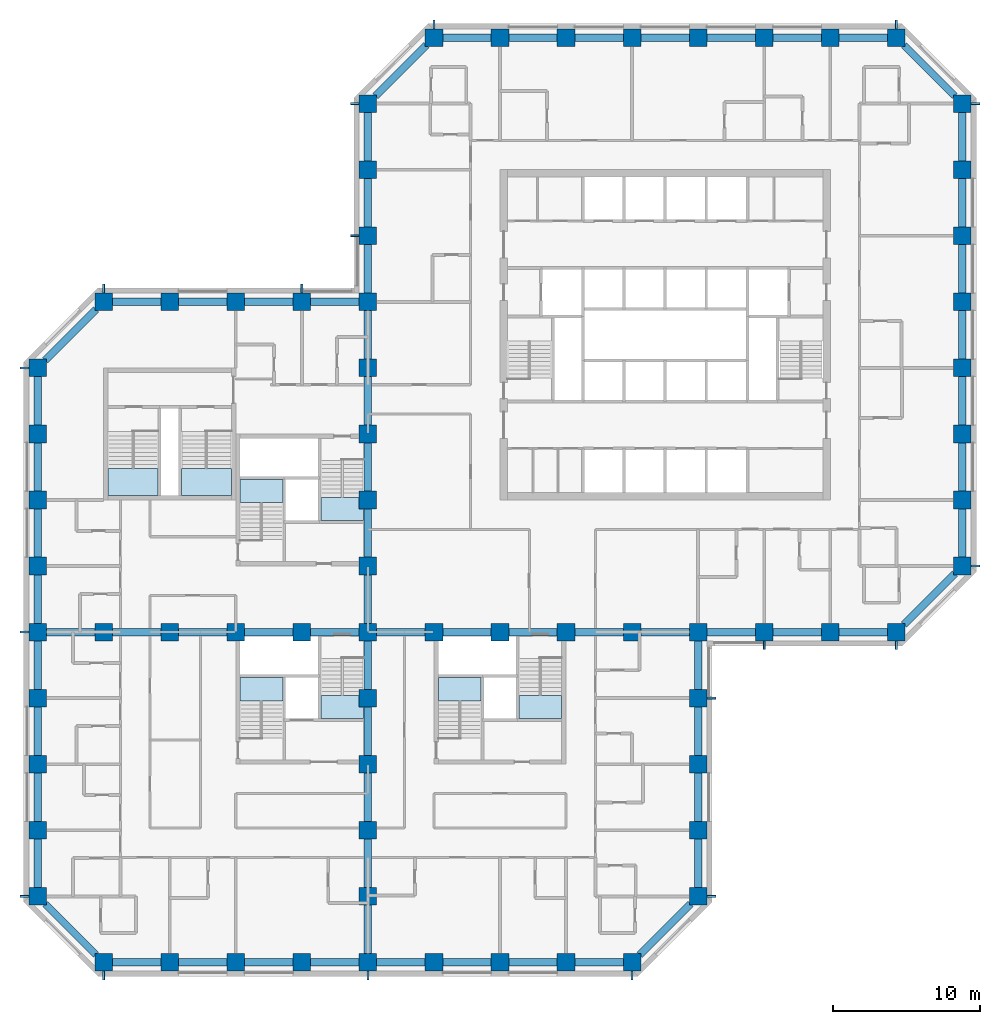
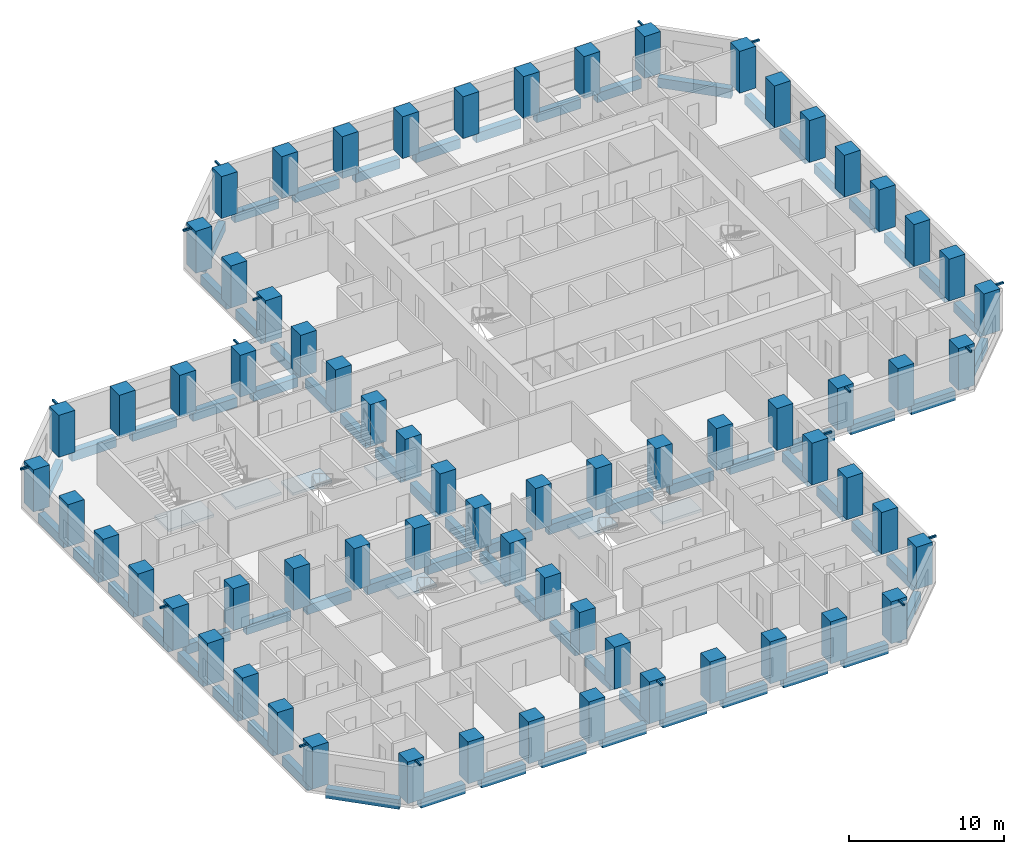
# One storey, part 1 of 13: 88 beams, 67 columns, 8 slabs, 8 elements without a shape of their own.
"""IFC4 building model written with IfcOpenShell, lengths in metres."""

from ifc_helpers import new_model, si_unit, direction, frame, origin, origin_2d, place, context, subcontext, project, spatial, polyline, rectangle, hollow_rectangle, outline, extrude, material, layer, layer_set, material_profile, profile_set, type_object, element, aggregate, save


model = new_model("IFC4")

# Units and contexts
model_context = context("Model", 3, precision=1e-05, world=origin(), true_north=direction((0.0, 1.0)))
body_context = subcontext(model_context, "Body", "Model", "MODEL_VIEW")
ifc_project = project(units=[si_unit("LENGTHUNIT", "METRE"), si_unit("AREAUNIT", "SQUARE_METRE"), si_unit("VOLUMEUNIT", "CUBIC_METRE"), si_unit("PLANEANGLEUNIT", "RADIAN"), si_unit("MASSUNIT", "GRAM", prefix="KILO")], contexts=[model_context])

# Site, building, storey
site_placement = place(None, origin())
site = spatial("IfcSite", under=ifc_project, at=site_placement, CompositionType="ELEMENT")
building_placement = place(site_placement, origin())
building = spatial("IfcBuilding", under=site, at=building_placement, Name="Quoin Convention Tower", CompositionType="ELEMENT")
storey_placement = place(building_placement, frame((0.0, 0.0, 36.300048828125)))
storey = spatial("IfcBuildingStorey", under=building, at=storey_placement, Name="L08", CompositionType="ELEMENT", Elevation=36.300048828125)

# Columns
ifc_material_1 = material(Name="Concrete C80", Category="concrete")
ifc_material_profile_1 = material_profile(ifc_material_1, rectangle(XDim=1.199951171875, YDim=1.199951171875, at=origin_2d()), Name="RC 1200x1200")
ifc_profile_set_1 = profile_set([ifc_material_profile_1], Name="Concrete C80")
column_type = type_object("IfcColumnType", Name="RC 1200x1200 C80", PredefinedType="COLUMN", material=ifc_profile_set_1)
for number, where, z_axis, x_axis, name in (
    (1, (18.0, 18.0, 0.0), (0.0, 0.0, 1.0), (1.0, 0.0, 0.0), "col-L08-18000_18000"),
    (2, (22.5, 18.0, 0.0), (0.0, 0.0, 1.0), (1.0, 0.0, 0.0), "col-L08-22500_18000"),
    (3, (27.0, 18.0, 0.0), (0.0, 0.0, 1.0), (1.0, 0.0, 0.0), "col-L08-27000_18000"),
    (4, (31.5, 18.0, 0.0), (0.0, 0.0, 1.0), (1.0, 0.0, 0.0), "col-L08-31500_18000"),
    (5, (36.0, 18.0, 0.0), (0.0, 0.0, 1.0), (1.0, 0.0, 0.0), "col-L08-36000_18000"),
    (6, (40.5, 18.0, 0.0), (0.0, 0.0, 1.0), (1.0, 0.0, 0.0), "col-L08-40500_18000"),
    (7, (45.0, 18.0, 0.0), (0.0, 0.0, 1.0), (1.0, 0.0, 0.0), "col-L08-45000_18000"),
    (8, (49.5, 18.0, 0.0), (0.0, 0.0, 1.0), (1.0, 0.0, 0.0), "col-L08-49500_18000"),
    (9, (54.0, 18.0, 0.0), (0.0, 0.0, 1.0), (1.0, 0.0, 0.0), "col-L08-54000_18000"),
    (10, (13.5, 22.5, 0.0), (0.0, 0.0, 1.0), (1.0, 0.0, 0.0), "col-L08-13500_22500"),
    (11, (36.0, 22.5, 0.0), (0.0, 0.0, 1.0), (1.0, 0.0, 0.0), "web-L08-36000_22500"),
    (12, (58.5, 22.5, 0.0), (0.0, 0.0, 1.0), (1.0, 0.0, 0.0), "col-L08-58500_22500"),
    (13, (13.5, 27.0, 0.0), (0.0, 0.0, 1.0), (1.0, 0.0, 0.0), "col-L08-13500_27000"),
    (14, (36.0, 27.0, 0.0), (0.0, 0.0, 1.0), (1.0, 0.0, 0.0), "web-L08-36000_27000"),
    (15, (58.5, 27.0, 0.0), (0.0, 0.0, 1.0), (1.0, 0.0, 0.0), "col-L08-58500_27000"),
    (16, (13.5, 31.5, 0.0), (0.0, 0.0, 1.0), (1.0, 0.0, 0.0), "col-L08-13500_31500"),
    (17, (36.0, 31.5, 0.0), (0.0, 0.0, 1.0), (1.0, 0.0, 0.0), "web-L08-36000_31500"),
    (18, (58.5, 31.5, 0.0), (0.0, 0.0, 1.0), (1.0, 0.0, 0.0), "col-L08-58500_31500"),
    (19, (13.5, 36.0, 0.0), (0.0, 0.0, 1.0), (1.0, 0.0, 0.0), "col-L08-13500_36000"),
    (20, (36.0, 36.0, 0.0), (0.0, 0.0, 1.0), (1.0, 0.0, 0.0), "web-L08-36000_36000"),
    (21, (58.5, 36.0, 0.0), (0.0, 0.0, 1.0), (1.0, 0.0, 0.0), "col-L08-58500_36000"),
    (22, (13.5, 40.5, 0.0), (0.0, 0.0, 1.0), (1.0, 0.0, 0.0), "col-L08-13500_40500"),
    (23, (18.0, 40.5, 0.0), (0.0, 0.0, 1.0), (1.0, 0.0, 0.0), "web-L08-18000_40500"),
    (24, (22.5, 40.5, 0.0), (0.0, 0.0, 1.0), (1.0, 0.0, 0.0), "web-L08-22500_40500"),
    (25, (27.0, 40.5, 0.0), (0.0, 0.0, 1.0), (1.0, 0.0, 0.0), "web-L08-27000_40500"),
    (26, (31.5, 40.5, 0.0), (0.0, 0.0, 1.0), (1.0, 0.0, 0.0), "web-L08-31500_40500"),
    (27, (36.0, 40.5, 0.0), (0.0, 0.0, 1.0), (1.0, 0.0, 0.0), "web-L08-36000_40500"),
    (28, (40.5, 40.5, 0.0), (0.0, 0.0, 1.0), (1.0, 0.0, 0.0), "web-L08-40500_40500"),
    (29, (45.0, 40.5, 0.0), (0.0, 0.0, 1.0), (1.0, 0.0, 0.0), "web-L08-45000_40500"),
    (30, (49.5, 40.5, 0.0), (0.0, 0.0, 1.0), (1.0, 0.0, 0.0), "web-L08-49500_40500"),
    (31, (54.0, 40.5, 0.0), (0.0, 0.0, 1.0), (1.0, 0.0, 0.0), "web-L08-54000_40500"),
    (32, (58.5, 40.5, 0.0), (0.0, 0.0, 1.0), (1.0, 0.0, 0.0), "col-L08-58500_40500"),
    (33, (63.0, 40.5, 0.0), (0.0, 0.0, 1.0), (1.0, 0.0, 0.0), "col-L08-63000_40500"),
    (34, (67.5, 40.5, 0.0), (0.0, 0.0, 1.0), (1.0, 0.0, 0.0), "col-L08-67500_40500"),
    (35, (72.0, 40.5, 0.0), (0.0, 0.0, 1.0), (1.0, 0.0, 0.0), "col-L08-72000_40500"),
    (36, (13.5, 45.0, 0.0), (0.0, 0.0, 1.0), (1.0, 0.0, 0.0), "col-L08-13500_45000"),
    (37, (36.0, 45.0, 0.0), (0.0, 0.0, 1.0), (1.0, 0.0, 0.0), "web-L08-36000_45000"),
    (38, (76.5, 45.0, 0.0), (0.0, 0.0, 1.0), (1.0, 0.0, 0.0), "col-L08-76500_45000"),
    (39, (13.5, 49.5, 0.0), (0.0, 0.0, 1.0), (1.0, 0.0, 0.0), "col-L08-13500_49500"),
    (40, (36.0, 49.5, 0.0), (0.0, 0.0, 1.0), (1.0, 0.0, 0.0), "web-L08-36000_49500"),
    (41, (76.5, 49.5, 0.0), (0.0, 0.0, 1.0), (1.0, 0.0, 0.0), "col-L08-76500_49500"),
    (42, (13.5, 54.0, 0.0), (0.0, 0.0, 1.0), (1.0, 0.0, 0.0), "col-L08-13500_54000"),
    (43, (36.0, 54.0, 0.0), (0.0, 0.0, 1.0), (1.0, 0.0, 0.0), "web-L08-36000_54000"),
    (44, (76.5, 54.0, 0.0), (0.0, 0.0, 1.0), (1.0, 0.0, 0.0), "col-L08-76500_54000"),
    (45, (13.5, 58.5, 0.0), (0.0, 0.0, 1.0), (1.0, 0.0, 0.0), "col-L08-13500_58500"),
    (46, (36.0, 58.5, 0.0), (0.0, 0.0, 1.0), (1.0, 0.0, 0.0), "web-L08-36000_58500"),
    (47, (76.5, 58.5, 0.0), (0.0, 0.0, 1.0), (1.0, 0.0, 0.0), "col-L08-76500_58500"),
    (48, (18.0, 63.0, 0.0), (0.0, 0.0, 1.0), (1.0, 0.0, 0.0), "col-L08-18000_63000"),
    (49, (22.5, 63.0, 0.0), (0.0, 0.0, 1.0), (1.0, 0.0, 0.0), "col-L08-22500_63000"),
    (50, (27.0, 63.0, 0.0), (0.0, 0.0, 1.0), (1.0, 0.0, 0.0), "col-L08-27000_63000"),
    (51, (31.5, 63.0, 0.0), (0.0, 0.0, 1.0), (1.0, 0.0, 0.0), "col-L08-31500_63000"),
    (52, (36.0, 63.0, 0.0), (0.0, 0.0, 1.0), (1.0, 0.0, 0.0), "col-L08-36000_63000"),
    (53, (76.5, 63.0, 0.0), (0.0, 0.0, 1.0), (1.0, 0.0, 0.0), "col-L08-76500_63000"),
    (54, (36.0, 67.5, 0.0), (0.0, 0.0, 1.0), (1.0, 0.0, 0.0), "col-L08-36000_67500"),
    (55, (76.5, 67.5, 0.0), (0.0, 0.0, 1.0), (1.0, 0.0, 0.0), "col-L08-76500_67500"),
    (56, (36.0, 72.0, 0.0), (0.0, 0.0, 1.0), (1.0, 0.0, 0.0), "col-L08-36000_72000"),
    (57, (76.5, 72.0, 0.0), (0.0, 0.0, 1.0), (1.0, 0.0, 0.0), "col-L08-76500_72000"),
    (58, (36.0, 76.5, 0.0), (0.0, 0.0, 1.0), (1.0, 0.0, 0.0), "col-L08-36000_76500"),
    (59, (76.5, 76.5, 0.0), (0.0, 0.0, 1.0), (1.0, 0.0, 0.0), "col-L08-76500_76500"),
    (60, (40.5, 81.0, 0.0), (0.0, 0.0, 1.0), (1.0, 0.0, 0.0), "col-L08-40500_81000"),
    (61, (45.0, 81.0, 0.0), (0.0, 0.0, 1.0), (1.0, 0.0, 0.0), "col-L08-45000_81000"),
    (62, (49.5, 81.0, 0.0), (0.0, 0.0, 1.0), (1.0, 0.0, 0.0), "col-L08-49500_81000"),
    (63, (54.0, 81.0, 0.0), (0.0, 0.0, 1.0), (1.0, 0.0, 0.0), "col-L08-54000_81000"),
    (64, (58.5, 81.0, 0.0), (0.0, 0.0, 1.0), (1.0, 0.0, 0.0), "col-L08-58500_81000"),
    (65, (63.0, 81.0, 0.0), (0.0, 0.0, 1.0), (1.0, 0.0, 0.0), "col-L08-63000_81000"),
    (66, (67.5, 81.0, 0.0), (0.0, 0.0, 1.0), (1.0, 0.0, 0.0), "col-L08-67500_81000"),
    (67, (72.0, 81.0, 0.0), (0.0, 0.0, 1.0), (1.0, 0.0, 0.0), "col-L08-72000_81000"),
):
    element("IfcColumn", number, at=place(storey_placement, frame(where, z_axis=z_axis, x_axis=x_axis)), inside=storey, type_object=column_type, Name=name, PredefinedType="COLUMN", context=body_context, shape_type="SweptSolid", body=[
        extrude(rectangle(XDim=1.199951171875, YDim=1.199951171875, at=origin_2d()), origin(), (0.0, 0.0, 1.0), 3.300048828125),
    ])

# Beams
ifc_material_2 = material(Name="Steel C450L0", Category="steel")
ifc_material_profile_2 = material_profile(ifc_material_2, hollow_rectangle(XDim=0.14990234375, YDim=0.14990234375, WallThickness=0.008056640625, InnerFilletRadius=0.011962890625, OuterFilletRadius=0.02001953125, at=origin_2d()), Name="150x150x8.0SHS")
ifc_profile_set_2 = profile_set([ifc_material_profile_2], Name="Steel C450L0")
beam_type_1 = type_object("IfcBeamType", Name="150x150x8.0SHS", PredefinedType="BEAM", material=ifc_profile_set_2)
for number, where, z_axis, x_axis, name in (
    (68, (12.89990234375, 40.5, 3.224853515625), (-1.0, 0.0, 0.0), (0.0, -1.0, 0.0), "brk-hi-L05-13500_40500-13500_36000"),
    (69, (12.89990234375, 22.5, 3.224853515625), (-1.0, 0.0, 0.0), (0.0, -1.0, 0.0), "brk-hi-L05-13500_27000-13500_22500"),
    (70, (12.89990234375, 58.5, 3.224853515625), (-1.0, 0.0, 0.0), (0.0, -1.0, 0.0), "brk-hi-L05-13500_58500-13500_54000"),
    (71, (18.0, 17.39990234375, 3.224853515625), (0.0, -1.0, 0.0), (1.0, 0.0, 0.0), "brk-hi-L05-18000_18000-22500_18000"),
    (72, (36.0, 17.39990234375, 3.224853515625), (0.0, -1.0, 0.0), (1.0, 0.0, 0.0), "brk-hi-L05-31500_18000-36000_18000"),
    (73, (54.0, 17.39990234375, 3.224853515625), (0.0, -1.0, 0.0), (1.0, 0.0, 0.0), "brk-hi-L05-49500_18000-54000_18000"),
    (74, (31.5, 63.60009765625, 3.224853515625), (0.0, 1.0, 0.0), (-1.0, 0.0, 0.0), "brk-hi-L05-31500_63000-27000_63000"),
    (75, (18.0, 63.60009765625, 3.224853515625), (0.0, 1.0, 0.0), (-1.0, 0.0, 0.0), "brk-hi-L05-22500_63000-18000_63000"),
    (76, (35.39990234375, 76.5, 3.224853515625), (-1.0, 0.0, 0.0), (0.0, -1.0, 0.0), "brk-hi-L05-36000_76500-36000_72000"),
    (77, (35.39990234375, 67.5, 3.224853515625), (-1.0, 0.0, 0.0), (0.0, -1.0, 0.0), "brk-hi-L05-36000_72000-36000_67500"),
    (78, (59.10009765625, 22.5, 3.224853515625), (1.0, 0.0, 0.0), (0.0, 1.0, 0.0), "brk-hi-L05-58500_22500-58500_27000"),
    (79, (59.10009765625, 36.0, 3.224853515625), (1.0, 0.0, 0.0), (0.0, 1.0, 0.0), "brk-hi-L05-58500_31500-58500_36000"),
    (80, (63.0, 39.89990234375, 3.224853515625), (0.0, -1.0, 0.0), (1.0, 0.0, 0.0), "brk-hi-L05-63000_40500-67500_40500"),
    (81, (72.0, 39.89990234375, 3.224853515625), (0.0, -1.0, 0.0), (1.0, 0.0, 0.0), "brk-hi-L05-67500_40500-72000_40500"),
    (82, (72.0, 81.60009765625, 3.224853515625), (0.0, 1.0, 0.0), (-1.0, 0.0, 0.0), "brk-hi-L05-72000_81000-67500_81000"),
    (83, (40.5, 81.60009765625, 3.224853515625), (0.0, 1.0, 0.0), (-1.0, 0.0, 0.0), "brk-hi-L05-45000_81000-40500_81000"),
    (84, (77.10009765625, 45.0, 3.224853515625), (1.0, 0.0, 0.0), (0.0, 1.0, 0.0), "brk-hi-L05-76500_45000-76500_49500"),
    (85, (77.10009765625, 76.5, 3.224853515625), (1.0, 0.0, 0.0), (0.0, 1.0, 0.0), "brk-hi-L05-76500_72000-76500_76500"),
):
    element("IfcBeam", number, at=place(storey_placement, frame(where, z_axis=z_axis, x_axis=x_axis)), inside=storey, type_object=beam_type_1, Name=name, PredefinedType="BEAM", context=body_context, shape_type="SweptSolid", body=[
        extrude(hollow_rectangle(XDim=0.14990234375, YDim=0.14990234375, WallThickness=0.008056640625, InnerFilletRadius=0.011962890625, OuterFilletRadius=0.02001953125, at=origin_2d()), origin(), (0.0, 0.0, 1.0), 0.599853515625),
    ])
ifc_material_profile_3 = material_profile(ifc_material_1, rectangle(XDim=0.5, YDim=0.75, at=origin_2d()), Name="RC 500x750")
ifc_profile_set_3 = profile_set([ifc_material_profile_3], Name="Concrete C80")
beam_type_2 = type_object("IfcBeamType", Name="RC 500x750 C80", PredefinedType="SPANDREL", material=ifc_profile_set_3)
beam_1_placement = place(storey_placement, frame((14.01513671875, 21.98486328125, -0.594970703125), z_axis=(0.707106781187, -0.707106781187, 0.0), x_axis=(0.707106781187, 0.707106781187, 0.0)))
element("IfcBeam", 86, at=beam_1_placement, inside=storey, type_object=beam_type_2, Name="spd-L08-13500_22500-18000_18000", PredefinedType="SPANDREL", context=body_context, shape_type="SweptSolid", body=[
    extrude(rectangle(XDim=0.5, YDim=0.75, at=origin_2d()), origin(), (0.0, 0.0, 1.0), 4.906982421875),
])
for number, where, z_axis, x_axis, name in (
    (87, (18.60009765625, 18.0, -0.594970703125), (1.0, 0.0, 0.0), (0.0, 1.0, 0.0), "spd-L08-18000_18000-22500_18000"),
    (88, (23.10009765625, 18.0, -0.594970703125), (1.0, 0.0, 0.0), (0.0, 1.0, 0.0), "spd-L08-22500_18000-27000_18000"),
    (89, (27.60009765625, 18.0, -0.594970703125), (1.0, 0.0, 0.0), (0.0, 1.0, 0.0), "spd-L08-27000_18000-31500_18000"),
    (90, (32.10009765625, 18.0, -0.594970703125), (1.0, 0.0, 0.0), (0.0, 1.0, 0.0), "spd-L08-31500_18000-36000_18000"),
    (91, (36.60009765625, 18.0, -0.594970703125), (1.0, 0.0, 0.0), (0.0, 1.0, 0.0), "spd-L08-36000_18000-40500_18000"),
    (92, (41.10009765625, 18.0, -0.594970703125), (1.0, 0.0, 0.0), (0.0, 1.0, 0.0), "spd-L08-40500_18000-45000_18000"),
    (93, (45.60009765625, 18.0, -0.594970703125), (1.0, 0.0, 0.0), (0.0, 1.0, 0.0), "spd-L08-45000_18000-49500_18000"),
    (94, (50.10009765625, 18.0, -0.594970703125), (1.0, 0.0, 0.0), (0.0, 1.0, 0.0), "spd-L08-49500_18000-54000_18000"),
):
    element("IfcBeam", number, at=place(storey_placement, frame(where, z_axis=z_axis, x_axis=x_axis)), inside=storey, type_object=beam_type_2, Name=name, PredefinedType="SPANDREL", context=body_context, shape_type="SweptSolid", body=[
        extrude(rectangle(XDim=0.5, YDim=0.75, at=origin_2d()), origin(), (0.0, 0.0, 1.0), 3.2998046875),
    ])
beam_2_placement = place(storey_placement, frame((54.51513671875, 18.51513671875, -0.594970703125), z_axis=(0.707106781187, 0.707106781187, 0.0), x_axis=(-0.707106781187, 0.707106781187, 0.0)))
element("IfcBeam", 95, at=beam_2_placement, inside=storey, type_object=beam_type_2, Name="spd-L08-54000_18000-58500_22500", PredefinedType="SPANDREL", context=body_context, shape_type="SweptSolid", body=[
    extrude(rectangle(XDim=0.5, YDim=0.75, at=origin_2d()), origin(), (0.0, 0.0, 1.0), 4.906982421875),
])
for number, where, z_axis, x_axis, name in (
    (96, (58.5, 23.10009765625, -0.594970703125), (0.0, 1.0, 0.0), (-1.0, 0.0, 0.0), "spd-L08-58500_22500-58500_27000"),
    (97, (58.5, 27.60009765625, -0.594970703125), (0.0, 1.0, 0.0), (-1.0, 0.0, 0.0), "spd-L08-58500_27000-58500_31500"),
    (98, (58.5, 32.10009765625, -0.594970703125), (0.0, 1.0, 0.0), (-1.0, 0.0, 0.0), "spd-L08-58500_31500-58500_36000"),
    (99, (58.5, 36.60009765625, -0.594970703125), (0.0, 1.0, 0.0), (-1.0, 0.0, 0.0), "spd-L08-58500_36000-58500_40500"),
    (100, (59.10009765625, 40.5, -0.594970703125), (1.0, 0.0, 0.0), (0.0, 1.0, 0.0), "spd-L08-58500_40500-63000_40500"),
    (101, (63.60009765625, 40.5, -0.594970703125), (1.0, 0.0, 0.0), (0.0, 1.0, 0.0), "spd-L08-63000_40500-67500_40500"),
    (102, (68.10009765625, 40.5, -0.594970703125), (1.0, 0.0, 0.0), (0.0, 1.0, 0.0), "spd-L08-67500_40500-72000_40500"),
):
    element("IfcBeam", number, at=place(storey_placement, frame(where, z_axis=z_axis, x_axis=x_axis)), inside=storey, type_object=beam_type_2, Name=name, PredefinedType="SPANDREL", context=body_context, shape_type="SweptSolid", body=[
        extrude(rectangle(XDim=0.5, YDim=0.75, at=origin_2d()), origin(), (0.0, 0.0, 1.0), 3.2998046875),
    ])
beam_3_placement = place(storey_placement, frame((72.51513671875, 41.01513671875, -0.594970703125), z_axis=(0.707106781187, 0.707106781187, 0.0), x_axis=(-0.707106781187, 0.707106781187, 0.0)))
element("IfcBeam", 103, at=beam_3_placement, inside=storey, type_object=beam_type_2, Name="spd-L08-72000_40500-76500_45000", PredefinedType="SPANDREL", context=body_context, shape_type="SweptSolid", body=[
    extrude(rectangle(XDim=0.5, YDim=0.75, at=origin_2d()), origin(), (0.0, 0.0, 1.0), 4.906982421875),
])
for number, where, z_axis, x_axis, name in (
    (104, (76.5, 45.60009765625, -0.594970703125), (0.0, 1.0, 0.0), (-1.0, 0.0, 0.0), "spd-L08-76500_45000-76500_49500"),
    (105, (76.5, 50.10009765625, -0.594970703125), (0.0, 1.0, 0.0), (-1.0, 0.0, 0.0), "spd-L08-76500_49500-76500_54000"),
    (106, (76.5, 54.60009765625, -0.594970703125), (0.0, 1.0, 0.0), (-1.0, 0.0, 0.0), "spd-L08-76500_54000-76500_58500"),
    (107, (76.5, 59.10009765625, -0.594970703125), (0.0, 1.0, 0.0), (-1.0, 0.0, 0.0), "spd-L08-76500_58500-76500_63000"),
    (108, (76.5, 63.60009765625, -0.594970703125), (0.0, 1.0, 0.0), (-1.0, 0.0, 0.0), "spd-L08-76500_63000-76500_67500"),
    (109, (76.5, 68.10009765625, -0.594970703125), (0.0, 1.0, 0.0), (-1.0, 0.0, 0.0), "spd-L08-76500_67500-76500_72000"),
    (110, (76.5, 72.60009765625, -0.594970703125), (0.0, 1.0, 0.0), (-1.0, 0.0, 0.0), "spd-L08-76500_72000-76500_76500"),
):
    element("IfcBeam", number, at=place(storey_placement, frame(where, z_axis=z_axis, x_axis=x_axis)), inside=storey, type_object=beam_type_2, Name=name, PredefinedType="SPANDREL", context=body_context, shape_type="SweptSolid", body=[
        extrude(rectangle(XDim=0.5, YDim=0.75, at=origin_2d()), origin(), (0.0, 0.0, 1.0), 3.2998046875),
    ])
beam_4_placement = place(storey_placement, frame((75.98486328125, 77.01513671875, -0.594970703125), z_axis=(-0.707106781187, 0.707106781187, 0.0), x_axis=(-0.707106781187, -0.707106781187, 0.0)))
element("IfcBeam", 111, at=beam_4_placement, inside=storey, type_object=beam_type_2, Name="spd-L08-76500_76500-72000_81000", PredefinedType="SPANDREL", context=body_context, shape_type="SweptSolid", body=[
    extrude(rectangle(XDim=0.5, YDim=0.75, at=origin_2d()), origin(), (0.0, 0.0, 1.0), 4.906982421875),
])
for number, where, z_axis, x_axis, name in (
    (112, (71.39990234375, 81.0, -0.594970703125), (-1.0, 0.0, 0.0), (0.0, -1.0, 0.0), "spd-L08-72000_81000-67500_81000"),
    (113, (66.89990234375, 81.0, -0.594970703125), (-1.0, 0.0, 0.0), (0.0, -1.0, 0.0), "spd-L08-67500_81000-63000_81000"),
    (114, (62.39990234375, 81.0, -0.594970703125), (-1.0, 0.0, 0.0), (0.0, -1.0, 0.0), "spd-L08-63000_81000-58500_81000"),
    (115, (57.89990234375, 81.0, -0.594970703125), (-1.0, 0.0, 0.0), (0.0, -1.0, 0.0), "spd-L08-58500_81000-54000_81000"),
    (116, (53.39990234375, 81.0, -0.594970703125), (-1.0, 0.0, 0.0), (0.0, -1.0, 0.0), "spd-L08-54000_81000-49500_81000"),
    (117, (48.89990234375, 81.0, -0.594970703125), (-1.0, 0.0, 0.0), (0.0, -1.0, 0.0), "spd-L08-49500_81000-45000_81000"),
    (118, (44.39990234375, 81.0, -0.594970703125), (-1.0, 0.0, 0.0), (0.0, -1.0, 0.0), "spd-L08-45000_81000-40500_81000"),
):
    element("IfcBeam", number, at=place(storey_placement, frame(where, z_axis=z_axis, x_axis=x_axis)), inside=storey, type_object=beam_type_2, Name=name, PredefinedType="SPANDREL", context=body_context, shape_type="SweptSolid", body=[
        extrude(rectangle(XDim=0.5, YDim=0.75, at=origin_2d()), origin(), (0.0, 0.0, 1.0), 3.2998046875),
    ])
beam_5_placement = place(storey_placement, frame((39.98486328125, 80.48486328125, -0.594970703125), z_axis=(-0.707106781187, -0.707106781187, 0.0), x_axis=(0.707106781187, -0.707106781187, 0.0)))
element("IfcBeam", 119, at=beam_5_placement, inside=storey, type_object=beam_type_2, Name="spd-L08-40500_81000-36000_76500", PredefinedType="SPANDREL", context=body_context, shape_type="SweptSolid", body=[
    extrude(rectangle(XDim=0.5, YDim=0.75, at=origin_2d()), origin(), (0.0, 0.0, 1.0), 4.906982421875),
])
for number, where, z_axis, x_axis, name in (
    (120, (36.0, 75.89990234375, -0.594970703125), (0.0, -1.0, 0.0), (1.0, 0.0, 0.0), "spd-L08-36000_76500-36000_72000"),
    (121, (36.0, 71.39990234375, -0.594970703125), (0.0, -1.0, 0.0), (1.0, 0.0, 0.0), "spd-L08-36000_72000-36000_67500"),
    (122, (36.0, 66.89990234375, -0.594970703125), (0.0, -1.0, 0.0), (1.0, 0.0, 0.0), "spd-L08-36000_67500-36000_63000"),
    (123, (35.39990234375, 63.0, -0.594970703125), (-1.0, 0.0, 0.0), (0.0, -1.0, 0.0), "spd-L08-36000_63000-31500_63000"),
    (124, (30.89990234375, 63.0, -0.594970703125), (-1.0, 0.0, 0.0), (0.0, -1.0, 0.0), "spd-L08-31500_63000-27000_63000"),
    (125, (26.39990234375, 63.0, -0.594970703125), (-1.0, 0.0, 0.0), (0.0, -1.0, 0.0), "spd-L08-27000_63000-22500_63000"),
    (126, (21.89990234375, 63.0, -0.594970703125), (-1.0, 0.0, 0.0), (0.0, -1.0, 0.0), "spd-L08-22500_63000-18000_63000"),
):
    element("IfcBeam", number, at=place(storey_placement, frame(where, z_axis=z_axis, x_axis=x_axis)), inside=storey, type_object=beam_type_2, Name=name, PredefinedType="SPANDREL", context=body_context, shape_type="SweptSolid", body=[
        extrude(rectangle(XDim=0.5, YDim=0.75, at=origin_2d()), origin(), (0.0, 0.0, 1.0), 3.2998046875),
    ])
beam_6_placement = place(storey_placement, frame((17.48486328125, 62.48486328125, -0.594970703125), z_axis=(-0.707106781187, -0.707106781187, 0.0), x_axis=(0.707106781187, -0.707106781187, 0.0)))
element("IfcBeam", 127, at=beam_6_placement, inside=storey, type_object=beam_type_2, Name="spd-L08-18000_63000-13500_58500", PredefinedType="SPANDREL", context=body_context, shape_type="SweptSolid", body=[
    extrude(rectangle(XDim=0.5, YDim=0.75, at=origin_2d()), origin(), (0.0, 0.0, 1.0), 4.906982421875),
])
for number, where, z_axis, x_axis, name in (
    (128, (13.5, 57.89990234375, -0.594970703125), (0.0, -1.0, 0.0), (1.0, 0.0, 0.0), "spd-L08-13500_58500-13500_54000"),
    (129, (13.5, 53.39990234375, -0.594970703125), (0.0, -1.0, 0.0), (1.0, 0.0, 0.0), "spd-L08-13500_54000-13500_49500"),
    (130, (13.5, 48.89990234375, -0.594970703125), (0.0, -1.0, 0.0), (1.0, 0.0, 0.0), "spd-L08-13500_49500-13500_45000"),
    (131, (13.5, 44.39990234375, -0.594970703125), (0.0, -1.0, 0.0), (1.0, 0.0, 0.0), "spd-L08-13500_45000-13500_40500"),
    (132, (13.5, 39.89990234375, -0.594970703125), (0.0, -1.0, 0.0), (1.0, 0.0, 0.0), "spd-L08-13500_40500-13500_36000"),
    (133, (13.5, 35.39990234375, -0.594970703125), (0.0, -1.0, 0.0), (1.0, 0.0, 0.0), "spd-L08-13500_36000-13500_31500"),
    (134, (13.5, 30.89990234375, -0.594970703125), (0.0, -1.0, 0.0), (1.0, 0.0, 0.0), "spd-L08-13500_31500-13500_27000"),
    (135, (13.5, 26.39990234375, -0.594970703125), (0.0, -1.0, 0.0), (1.0, 0.0, 0.0), "spd-L08-13500_27000-13500_22500"),
    (136, (14.10009765625, 40.5, -0.594970703125), (1.0, 0.0, 0.0), (0.0, 1.0, 0.0), "spd-L08-13500_40500-18000_40500"),
    (137, (18.60009765625, 40.5, -0.594970703125), (1.0, 0.0, 0.0), (0.0, 1.0, 0.0), "spd-L08-18000_40500-22500_40500"),
    (138, (23.10009765625, 40.5, -0.594970703125), (1.0, 0.0, 0.0), (0.0, 1.0, 0.0), "spd-L08-22500_40500-27000_40500"),
    (139, (27.60009765625, 40.5, -0.594970703125), (1.0, 0.0, 0.0), (0.0, 1.0, 0.0), "spd-L08-27000_40500-31500_40500"),
    (140, (32.10009765625, 40.5, -0.594970703125), (1.0, 0.0, 0.0), (0.0, 1.0, 0.0), "spd-L08-31500_40500-36000_40500"),
    (141, (36.60009765625, 40.5, -0.594970703125), (1.0, 0.0, 0.0), (0.0, 1.0, 0.0), "spd-L08-36000_40500-40500_40500"),
    (142, (41.10009765625, 40.5, -0.594970703125), (1.0, 0.0, 0.0), (0.0, 1.0, 0.0), "spd-L08-40500_40500-45000_40500"),
    (143, (45.60009765625, 40.5, -0.594970703125), (1.0, 0.0, 0.0), (0.0, 1.0, 0.0), "spd-L08-45000_40500-49500_40500"),
    (144, (50.10009765625, 40.5, -0.594970703125), (1.0, 0.0, 0.0), (0.0, 1.0, 0.0), "spd-L08-49500_40500-54000_40500"),
    (145, (54.60009765625, 40.5, -0.594970703125), (1.0, 0.0, 0.0), (0.0, 1.0, 0.0), "spd-L08-54000_40500-58500_40500"),
    (146, (36.0, 18.60009765625, -0.594970703125), (0.0, 1.0, 0.0), (-1.0, 0.0, 0.0), "spd-L08-36000_18000-36000_22500"),
    (147, (36.0, 23.10009765625, -0.594970703125), (0.0, 1.0, 0.0), (-1.0, 0.0, 0.0), "spd-L08-36000_22500-36000_27000"),
    (148, (36.0, 27.60009765625, -0.594970703125), (0.0, 1.0, 0.0), (-1.0, 0.0, 0.0), "spd-L08-36000_27000-36000_31500"),
    (149, (36.0, 32.10009765625, -0.594970703125), (0.0, 1.0, 0.0), (-1.0, 0.0, 0.0), "spd-L08-36000_31500-36000_36000"),
    (150, (36.0, 36.60009765625, -0.594970703125), (0.0, 1.0, 0.0), (-1.0, 0.0, 0.0), "spd-L08-36000_36000-36000_40500"),
    (151, (36.0, 41.10009765625, -0.594970703125), (0.0, 1.0, 0.0), (-1.0, 0.0, 0.0), "spd-L08-36000_40500-36000_45000"),
    (152, (36.0, 45.60009765625, -0.594970703125), (0.0, 1.0, 0.0), (-1.0, 0.0, 0.0), "spd-L08-36000_45000-36000_49500"),
    (153, (36.0, 50.10009765625, -0.594970703125), (0.0, 1.0, 0.0), (-1.0, 0.0, 0.0), "spd-L08-36000_49500-36000_54000"),
    (154, (36.0, 54.60009765625, -0.594970703125), (0.0, 1.0, 0.0), (-1.0, 0.0, 0.0), "spd-L08-36000_54000-36000_58500"),
    (155, (36.0, 59.10009765625, -0.594970703125), (0.0, 1.0, 0.0), (-1.0, 0.0, 0.0), "spd-L08-36000_58500-36000_63000"),
):
    element("IfcBeam", number, at=place(storey_placement, frame(where, z_axis=z_axis, x_axis=x_axis)), inside=storey, type_object=beam_type_2, Name=name, PredefinedType="SPANDREL", context=body_context, shape_type="SweptSolid", body=[
        extrude(rectangle(XDim=0.5, YDim=0.75, at=origin_2d()), origin(), (0.0, 0.0, 1.0), 3.2998046875),
    ])

# Stair, slab
ifc_material_3 = material(Name="Concrete C40", Category="concrete")
stair_type_1 = type_object("IfcStairType", Name="Exit stair two-flight 1350", PredefinedType="HALF_TURN_STAIR", material=ifc_material_3)
stair_1_placement = place(storey_placement, origin())
stair_1 = element("IfcStair", 156, at=stair_1_placement, inside=storey, type_object=stair_type_1, Name="SD3 L08", PredefinedType="HALF_TURN_STAIR")
ifc_layer = layer(ifc_material_3, 0.199951171875)
ifc_layer_set = layer_set([ifc_layer], Name="Concrete C40")
slab_type = type_object("IfcSlabType", Name="Stair landing 200", PredefinedType="LANDING", material=ifc_layer_set)
slab_1_placement = place(storey_placement, frame((0.0, 0.0, 1.449951171875)))
slab_1 = element("IfcSlab", 157, at=slab_1_placement, type_object=slab_type, Name="ST3 landing 1", PredefinedType="LANDING", context=body_context, shape_type="SweptSolid", body=[
    extrude(outline(polyline([(27.300048828125, 49.320068359375), (30.199951171875, 49.320068359375), (30.199951171875, 50.89990234375), (27.300048828125, 50.89990234375), (27.300048828125, 49.320068359375)])), origin(), (0.0, 0.0, 1.0), 0.199951171875),
])
aggregate(stair_1, [slab_1])

stair_2_placement = place(storey_placement, origin())
stair_2 = element("IfcStair", 158, at=stair_2_placement, inside=storey, type_object=stair_type_1, Name="SD4 L08", PredefinedType="HALF_TURN_STAIR")
slab_2_placement = place(storey_placement, frame((0.0, 0.0, 1.449951171875)))
slab_2 = element("IfcSlab", 159, at=slab_2_placement, type_object=slab_type, Name="ST4 landing 1", PredefinedType="LANDING", context=body_context, shape_type="SweptSolid", body=[
    extrude(outline(polyline([(35.699951171875, 49.679931640625), (32.800048828125, 49.679931640625), (32.800048828125, 48.10009765625), (35.699951171875, 48.10009765625), (35.699951171875, 49.679931640625)])), origin(), (0.0, 0.0, 1.0), 0.199951171875),
])
aggregate(stair_2, [slab_2])

stair_3_placement = place(storey_placement, origin())
stair_3 = element("IfcStair", 160, at=stair_3_placement, inside=storey, type_object=stair_type_1, Name="SD5 L08", PredefinedType="HALF_TURN_STAIR")
slab_3_placement = place(storey_placement, frame((0.0, 0.0, 1.449951171875)))
slab_3 = element("IfcSlab", 161, at=slab_3_placement, type_object=slab_type, Name="ST5 landing 1", PredefinedType="LANDING", context=body_context, shape_type="SweptSolid", body=[
    extrude(outline(polyline([(40.800048828125, 35.820068359375), (43.699951171875, 35.820068359375), (43.699951171875, 37.39990234375), (40.800048828125, 37.39990234375), (40.800048828125, 35.820068359375)])), origin(), (0.0, 0.0, 1.0), 0.199951171875),
])
aggregate(stair_3, [slab_3])

stair_4_placement = place(storey_placement, origin())
stair_4 = element("IfcStair", 162, at=stair_4_placement, inside=storey, type_object=stair_type_1, Name="SD6 L08", PredefinedType="HALF_TURN_STAIR")
slab_4_placement = place(storey_placement, frame((0.0, 0.0, 1.449951171875)))
slab_4 = element("IfcSlab", 163, at=slab_4_placement, type_object=slab_type, Name="ST6 landing 1", PredefinedType="LANDING", context=body_context, shape_type="SweptSolid", body=[
    extrude(outline(polyline([(49.199951171875, 36.179931640625), (46.300048828125, 36.179931640625), (46.300048828125, 34.60009765625), (49.199951171875, 34.60009765625), (49.199951171875, 36.179931640625)])), origin(), (0.0, 0.0, 1.0), 0.199951171875),
])
aggregate(stair_4, [slab_4])

stair_5_placement = place(storey_placement, origin())
stair_5 = element("IfcStair", 164, at=stair_5_placement, inside=storey, type_object=stair_type_1, Name="SD7 L08", PredefinedType="HALF_TURN_STAIR")
slab_5_placement = place(storey_placement, frame((0.0, 0.0, 1.449951171875)))
slab_5 = element("IfcSlab", 165, at=slab_5_placement, type_object=slab_type, Name="ST7 landing 1", PredefinedType="LANDING", context=body_context, shape_type="SweptSolid", body=[
    extrude(outline(polyline([(27.300048828125, 35.820068359375), (30.199951171875, 35.820068359375), (30.199951171875, 37.39990234375), (27.300048828125, 37.39990234375), (27.300048828125, 35.820068359375)])), origin(), (0.0, 0.0, 1.0), 0.199951171875),
])
aggregate(stair_5, [slab_5])

stair_6_placement = place(storey_placement, origin())
stair_6 = element("IfcStair", 166, at=stair_6_placement, inside=storey, type_object=stair_type_1, Name="SD8 L08", PredefinedType="HALF_TURN_STAIR")
slab_6_placement = place(storey_placement, frame((0.0, 0.0, 1.449951171875)))
slab_6 = element("IfcSlab", 167, at=slab_6_placement, type_object=slab_type, Name="ST8 landing 1", PredefinedType="LANDING", context=body_context, shape_type="SweptSolid", body=[
    extrude(outline(polyline([(35.699951171875, 36.179931640625), (32.800048828125, 36.179931640625), (32.800048828125, 34.60009765625), (35.699951171875, 34.60009765625), (35.699951171875, 36.179931640625)])), origin(), (0.0, 0.0, 1.0), 0.199951171875),
])
aggregate(stair_6, [slab_6])

stair_type_2 = type_object("IfcStairType", Name="Exit stair two-flight 1600", PredefinedType="HALF_TURN_STAIR", material=ifc_material_3)
stair_7_placement = place(storey_placement, origin())
stair_7 = element("IfcStair", 168, at=stair_7_placement, inside=storey, type_object=stair_type_2, Name="SD11 L08", PredefinedType="HALF_TURN_STAIR")
slab_7_placement = place(storey_placement, frame((0.0, 0.0, 1.449951171875)))
slab_7 = element("IfcSlab", 169, at=slab_7_placement, type_object=slab_type, Name="ST11 landing 1", PredefinedType="LANDING", context=body_context, shape_type="SweptSolid", body=[
    extrude(outline(polyline([(21.699951171875, 51.6298828125), (18.300048828125, 51.6298828125), (18.300048828125, 49.800048828125), (21.699951171875, 49.800048828125), (21.699951171875, 51.6298828125)])), origin(), (0.0, 0.0, 1.0), 0.199951171875),
])
aggregate(stair_7, [slab_7])

stair_8_placement = place(storey_placement, origin())
stair_8 = element("IfcStair", 170, at=stair_8_placement, inside=storey, type_object=stair_type_2, Name="SD12 L08", PredefinedType="HALF_TURN_STAIR")
slab_8_placement = place(storey_placement, frame((0.0, 0.0, 1.449951171875)))
slab_8 = element("IfcSlab", 171, at=slab_8_placement, type_object=slab_type, Name="ST12 landing 1", PredefinedType="LANDING", context=body_context, shape_type="SweptSolid", body=[
    extrude(outline(polyline([(26.699951171875, 51.6298828125), (23.300048828125, 51.6298828125), (23.300048828125, 49.800048828125), (26.699951171875, 49.800048828125), (26.699951171875, 51.6298828125)])), origin(), (0.0, 0.0, 1.0), 0.199951171875),
])
aggregate(stair_8, [slab_8])

save(model, "model.ifc")
